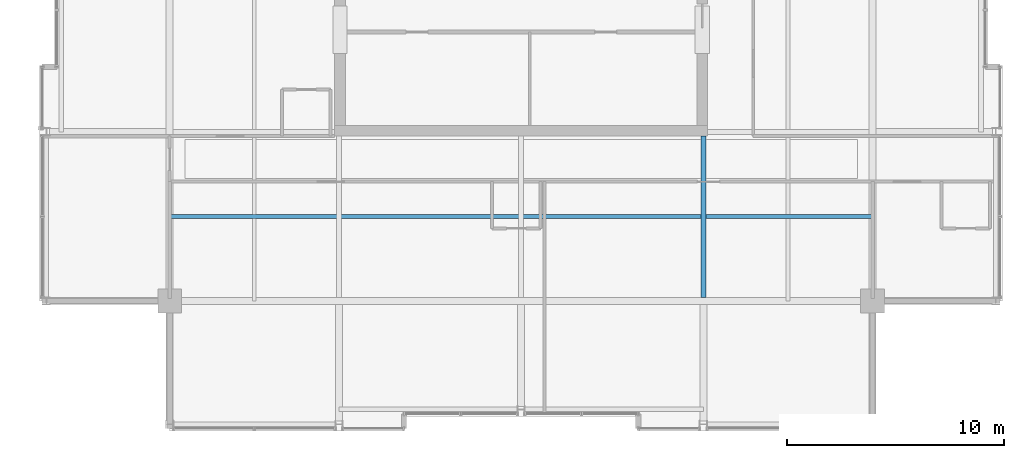
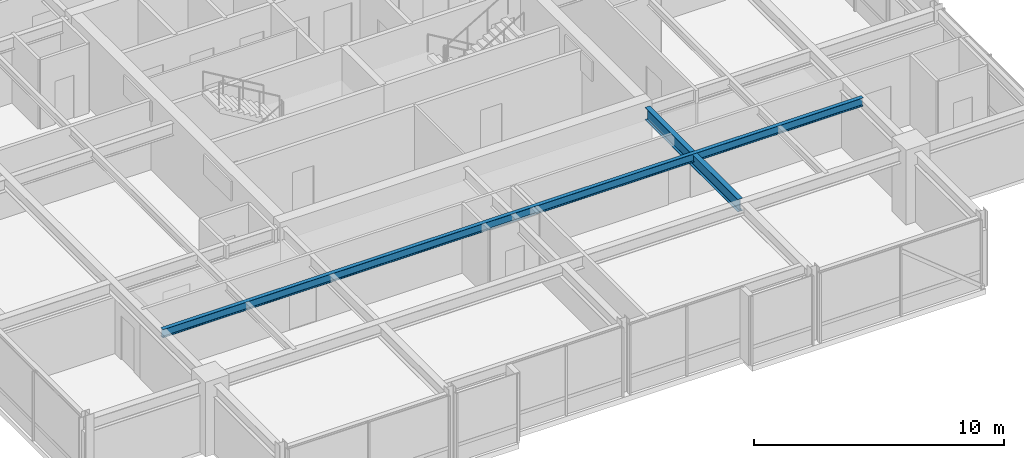
# One storey, part 10 of 33: 2 beams.
"""IFC4 building model written with IfcOpenShell, lengths in metres."""

from ifc_helpers import new_model, si_unit, direction, frame, origin, origin_2d, place, context, subcontext, project, spatial, i_section, extrude, material, material_profile, profile_set, type_object, element, save


model = new_model("IFC4")

# Units and contexts
model_context = context("Model", 3, precision=1e-05, world=origin(), true_north=direction((0.0, 1.0)))
body_context = subcontext(model_context, "Body", "Model", "MODEL_VIEW")
ifc_project = project(units=[si_unit("LENGTHUNIT", "METRE"), si_unit("AREAUNIT", "SQUARE_METRE"), si_unit("VOLUMEUNIT", "CUBIC_METRE"), si_unit("PLANEANGLEUNIT", "RADIAN"), si_unit("MASSUNIT", "GRAM", prefix="KILO")], contexts=[model_context])

# Site, building, storey
site_placement = place(None, origin())
site = spatial("IfcSite", under=ifc_project, at=site_placement, CompositionType="ELEMENT")
building_placement = place(site_placement, origin())
building = spatial("IfcBuilding", under=site, at=building_placement, Name="Drelvath Grand Hotel", CompositionType="ELEMENT")
storey_placement = place(building_placement, frame((0.0, 0.0, 275.949951171875)))
storey = spatial("IfcBuildingStorey", under=building, at=storey_placement, Name="L72", CompositionType="ELEMENT", Elevation=275.949951171875)

# Beams
ifc_material = material(Name="Steel ASTM A992 Gr 50", Category="steel")
ifc_material_profile_1 = material_profile(ifc_material, i_section(OverallWidth=0.177734375, OverallDepth=0.40673828125, WebThickness=0.0078125, FlangeThickness=0.0126953125, FilletRadius=0.014892578125, at=origin_2d()), Name="W16X40")
ifc_profile_set_1 = profile_set([ifc_material_profile_1], Name="Steel ASTM A992 Gr 50")
beam_type_1 = type_object("IfcBeamType", Name="Composite Floor Joist W16X40", PredefinedType="JOIST", material=ifc_profile_set_1)
beam_1_placement = place(storey_placement, frame((-16.199951171875, 14.699951171875, 3.186767578125), z_axis=(1.0, 0.0, 0.0), x_axis=(0.0, 1.0, 0.0)))
element("IfcBeam", 1, at=beam_1_placement, inside=storey, type_object=beam_type_1, Name="L72 Floor Joist J1", PredefinedType="JOIST", context=body_context, shape_type="SweptSolid", body=[
    extrude(i_section(OverallWidth=0.177734375, OverallDepth=0.40673828125, WebThickness=0.0078125, FlangeThickness=0.0126953125, FilletRadius=0.014892578125, at=origin_2d()), origin(), (0.0, 0.0, 1.0), 32.39990234375),
])
ifc_material_profile_2 = material_profile(ifc_material, i_section(OverallWidth=0.228271484375, OverallDepth=0.607666015625, WebThickness=0.01123046875, FlangeThickness=0.017333984375, FilletRadius=0.02001953125, at=origin_2d()), Name="W24X76")
ifc_profile_set_2 = profile_set([ifc_material_profile_2], Name="Steel ASTM A992 Gr 50")
beam_type_2 = type_object("IfcBeamType", Name="Primary Floor Girder W24X76", PredefinedType="BEAM", material=ifc_profile_set_2)
beam_2_placement = place(storey_placement, frame((8.39990234375, 10.9619140625, 3.086181640625), z_axis=(0.0, 1.0, 0.0), x_axis=(-1.0, 0.0, 0.0)))
element("IfcBeam", 2, at=beam_2_placement, inside=storey, type_object=beam_type_2, Name="L72 South Core Tie 6", PredefinedType="BEAM", context=body_context, shape_type="SweptSolid", body=[
    extrude(i_section(OverallWidth=0.228271484375, OverallDepth=0.607666015625, WebThickness=0.01123046875, FlangeThickness=0.017333984375, FilletRadius=0.02001953125, at=origin_2d()), origin(), (0.0, 0.0, 1.0), 7.43798828125),
])

save(model, "model.ifc")
